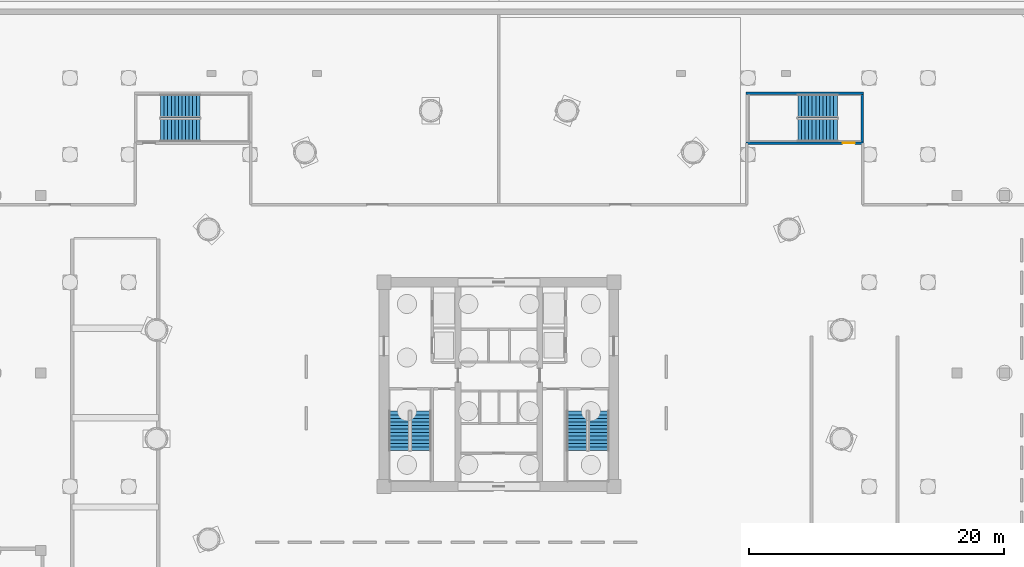
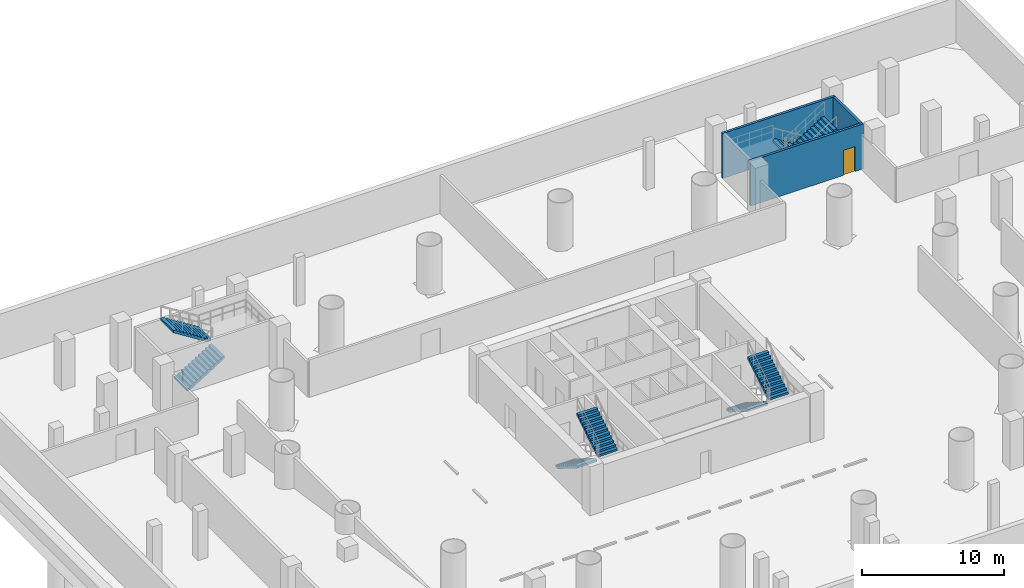
# One storey, part 6 of 11: 8 stair flights, 3 walls, 1 door, 1 opening, 4 elements without a shape of their own.
"""IFC4 building model written with IfcOpenShell, lengths in metres."""

from ifc_helpers import new_model, si_unit, direction, frame, frame_2d, origin, place, context, subcontext, project, spatial, polyline, rectangle, outline, extrude, source, transform, mapped, material, layer, layer_set, type_object, element, fill, aggregate, save


model = new_model("IFC4")

# Units and contexts
model_context = context("Model", 3, precision=1e-05, world=origin(), true_north=direction((-0.2419218956, 0.970295726276)))
body_context = subcontext(model_context, "Body", "Model", "MODEL_VIEW")
ifc_project = project(units=[si_unit("LENGTHUNIT", "METRE"), si_unit("AREAUNIT", "SQUARE_METRE"), si_unit("VOLUMEUNIT", "CUBIC_METRE"), si_unit("PLANEANGLEUNIT", "RADIAN"), si_unit("MASSUNIT", "GRAM", prefix="KILO")], contexts=[model_context])

# Site, building, storey
site_placement = place(None, origin())
site = spatial("IfcSite", under=ifc_project, at=site_placement, CompositionType="ELEMENT")
building_placement = place(site_placement, origin())
building = spatial("IfcBuilding", under=site, at=building_placement, Name="Cobrevalo Terracotta Tower", CompositionType="ELEMENT")
storey_placement = place(building_placement, frame((0.0, 0.0, -8.39990234375)))
storey = spatial("IfcBuildingStorey", under=building, at=storey_placement, Name="B02", CompositionType="ELEMENT", Elevation=-8.39990234375)

# Wall, opening, door
ifc_material_1 = material(Name="Concrete C50", Category="concrete")
ifc_layer = layer(ifc_material_1, 0.199951171875)
ifc_layer_set = layer_set([ifc_layer], Name="Concrete C50")
wall_type = type_object("IfcWallType", Name="Structural core & podium stair-shaft RC wall 200 mm Concrete C50", PredefinedType="SOLIDWALL", material=ifc_layer_set)
wall_1_placement = place(storey_placement, frame((57.35009765625, 45.699951171875, 0.0), z_axis=(0.0, 0.0, 1.0), x_axis=(1.0, 0.0, 0.0)))
wall_1 = element("IfcWall", 1, at=wall_1_placement, inside=storey, type_object=wall_type, Name="B02 STP2 south structural shaft wall", PredefinedType="SOLIDWALL", context=body_context, shape_type="SweptSolid", body=[
    extrude(rectangle(XDim=9.199951171875, YDim=0.199951171875, at=frame_2d((4.60009765625, 0.0))), origin(), (0.0, 0.0, 1.0), 3.8798828125),
])
opening_placement = place(wall_1_placement, frame((7.574951171875, 0.0, 0.0)))
opening = element("IfcOpeningElement", 2, at=opening_placement, cuts=wall_1, Name="Opening ID-04", PredefinedType="OPENING", context=body_context, shape_type="SweptSolid", body=[
    extrude(rectangle(XDim=0.949951171875, YDim=2.14990234375, at=frame_2d((0.47509765625, 1.074951171875))), frame((0.0, 0.10986328125, 0.0), z_axis=(0.0, -1.0, 0.0), x_axis=(1.0, 0.0, 0.0)), (0.0, 0.0, 1.0), 0.219970703125),
])
ifc_material_2 = material(Name="Galvanized fire-rated steel", Category="steel")
door_type = type_object("IfcDoorType", Name="Stair & firefighting lobby fire door 950x2150 EI 90", OperationType="NOTDEFINED", PredefinedType="DOOR", material=ifc_material_2)
shared_shape = source(origin(), body_context, "Body", "SweptSolid", [
    extrude(rectangle(XDim=0.949951171875, YDim=2.14990234375, at=frame_2d((0.47509765625, 1.074951171875))), frame((0.0, 0.02490234375, 0.0), z_axis=(0.0, -1.0, 0.0), x_axis=(1.0, 0.0, 0.0)), (0.0, 0.0, 1.0), 0.050048828125),
])
door_placement = place(opening_placement, frame((0.949951171875, 0.0, 0.0), z_axis=(0.0, 0.0, 1.0), x_axis=(-1.0, 0.0, 0.0)))
door = element("IfcDoor", 3, at=door_placement, inside=storey, type_object=door_type, Name="B02 podium exit stair STP2 fire door", OperationType="SINGLE_SWING_RIGHT", OverallHeight=2.14990234375, OverallWidth=0.949951171875, PredefinedType="DOOR", context=body_context, shape_type="MappedRepresentation", body=[
    mapped(shared_shape, transform((0.0, 0.0, 0.0), scale=1.0)),
])
fill(opening, door)

# Walls
wall_2_placement = place(storey_placement, frame((57.35009765625, 49.6201171875, 0.0), z_axis=(0.0, 0.0, 1.0), x_axis=(1.0, 0.0, 0.0)))
element("IfcWall", 4, at=wall_2_placement, inside=storey, type_object=wall_type, Name="B02 STP2 north structural shaft wall", PredefinedType="SOLIDWALL", context=body_context, shape_type="SweptSolid", body=[
    extrude(rectangle(XDim=9.199951171875, YDim=0.199951171875, at=frame_2d((4.60009765625, 0.0))), origin(), (0.0, 0.0, 1.0), 3.8798828125),
])
wall_3_placement = place(storey_placement, frame((66.449951171875, 45.800048828125, 0.0), z_axis=(0.0, 0.0, 1.0), x_axis=(0.0, 1.0, 0.0)))
element("IfcWall", 5, at=wall_3_placement, inside=storey, type_object=wall_type, Name="B02 STP2 east structural shaft wall", PredefinedType="SOLIDWALL", context=body_context, shape_type="SweptSolid", body=[
    extrude(rectangle(XDim=3.719970703125, YDim=0.199951171875, at=frame_2d((1.85986328125, 0.0))), origin(), (0.0, 0.0, 1.0), 3.8798828125),
])

# Stair, stair flights
stair_type_1 = type_object("IfcStairType", Name="Core protected escape dogleg stair 1600", PredefinedType="HALF_TURN_STAIR", material=ifc_material_1)
stair_1_placement = place(storey_placement, origin())
stair_1 = element("IfcStair", 6, at=stair_1_placement, inside=storey, type_object=stair_type_1, Name="B02 Protected exit stair ST-1", PredefinedType="HALF_TURN_STAIR")
stair_flight_type_1 = type_object("IfcStairFlightType", Name="Core protected escape dogleg stair 1600 flight", PredefinedType="STRAIGHT", material=ifc_material_1)
stair_flight_1_placement = place(storey_placement, frame((30.175048828125, 24.699951171875, 0.0), z_axis=(0.0, 0.0, 1.0), x_axis=(0.0, -1.0, 0.0)))
stair_flight_1 = element("IfcStairFlight", 7, at=stair_flight_1_placement, type_object=stair_flight_type_1, Name="ST-1 flight 1", NumberOfRisers=12, NumberOfTreads=11, PredefinedType="STRAIGHT", RiserHeight=0.175, TreadLength=0.28, context=body_context, shape_type="SweptSolid", body=[
    extrude(outline(polyline([(0.0, 0.0), (0.0, 0.175048828125), (0.280029296875, 0.175048828125), (0.280029296875, 0.35009765625), (0.56005859375, 0.35009765625), (0.56005859375, 0.52490234375), (0.840087890625, 0.52490234375), (0.840087890625, 0.699951171875), (1.1201171875, 0.699951171875), (1.1201171875, 0.875), (1.39990234375, 0.875), (1.39990234375, 1.050048828125), (1.679931640625, 1.050048828125), (1.679931640625, 1.22509765625), (1.9599609375, 1.22509765625), (1.9599609375, 1.39990234375), (2.239990234375, 1.39990234375), (2.239990234375, 1.574951171875), (2.52001953125, 1.574951171875), (2.52001953125, 1.75), (2.800048828125, 1.75), (2.800048828125, 1.925048828125), (3.080078125, 1.925048828125), (3.080078125, 2.10009765625), (3.080078125, 1.736328125), (0.3017578125, 0.0), (0.0, 0.0)])), frame((0.0, 0.800048828125, 0.0), z_axis=(0.0, -1.0, 0.0), x_axis=(1.0, 0.0, 0.0)), (0.0, 0.0, 1.0), 1.60009765625),
])
stair_flight_2_placement = place(storey_placement, frame((31.89501953125, 21.6201171875, 2.099853515625), z_axis=(0.0, 0.0, 1.0), x_axis=(0.0, 1.0, 0.0)))
stair_flight_2 = element("IfcStairFlight", 8, at=stair_flight_2_placement, type_object=stair_flight_type_1, Name="ST-1 flight 2", NumberOfRisers=12, NumberOfTreads=11, PredefinedType="STRAIGHT", RiserHeight=0.175, TreadLength=0.28, context=body_context, shape_type="SweptSolid", body=[
    extrude(outline(polyline([(0.0, 0.0), (0.0, 0.175048828125), (0.280029296875, 0.175048828125), (0.280029296875, 0.35009765625), (0.56005859375, 0.35009765625), (0.56005859375, 0.52490234375), (0.840087890625, 0.52490234375), (0.840087890625, 0.699951171875), (1.1201171875, 0.699951171875), (1.1201171875, 0.875), (1.39990234375, 0.875), (1.39990234375, 1.050048828125), (1.679931640625, 1.050048828125), (1.679931640625, 1.22509765625), (1.9599609375, 1.22509765625), (1.9599609375, 1.39990234375), (2.239990234375, 1.39990234375), (2.239990234375, 1.574951171875), (2.52001953125, 1.574951171875), (2.52001953125, 1.75), (2.800048828125, 1.75), (2.800048828125, 1.925048828125), (3.080078125, 1.925048828125), (3.080078125, 2.10009765625), (3.080078125, 1.736328125), (0.3017578125, 0.0), (0.0, 0.0)])), frame((0.0, 0.800048828125, 0.0), z_axis=(0.0, -1.0, 0.0), x_axis=(1.0, 0.0, 0.0)), (0.0, 0.0, 1.0), 1.60009765625),
])
aggregate(stair_1, [stair_flight_1, stair_flight_2])

stair_2_placement = place(storey_placement, origin())
stair_2 = element("IfcStair", 9, at=stair_2_placement, inside=storey, type_object=stair_type_1, Name="B02 Protected exit stair ST-2", PredefinedType="HALF_TURN_STAIR")
stair_flight_3_placement = place(storey_placement, frame((44.10498046875, 24.699951171875, 0.0), z_axis=(0.0, 0.0, 1.0), x_axis=(0.0, -1.0, 0.0)))
stair_flight_3 = element("IfcStairFlight", 10, at=stair_flight_3_placement, type_object=stair_flight_type_1, Name="ST-2 flight 1", NumberOfRisers=12, NumberOfTreads=11, PredefinedType="STRAIGHT", RiserHeight=0.175, TreadLength=0.28, context=body_context, shape_type="SweptSolid", body=[
    extrude(outline(polyline([(0.0, 0.0), (0.0, 0.175048828125), (0.280029296875, 0.175048828125), (0.280029296875, 0.35009765625), (0.56005859375, 0.35009765625), (0.56005859375, 0.52490234375), (0.840087890625, 0.52490234375), (0.840087890625, 0.699951171875), (1.1201171875, 0.699951171875), (1.1201171875, 0.875), (1.39990234375, 0.875), (1.39990234375, 1.050048828125), (1.679931640625, 1.050048828125), (1.679931640625, 1.22509765625), (1.9599609375, 1.22509765625), (1.9599609375, 1.39990234375), (2.239990234375, 1.39990234375), (2.239990234375, 1.574951171875), (2.52001953125, 1.574951171875), (2.52001953125, 1.75), (2.800048828125, 1.75), (2.800048828125, 1.925048828125), (3.080078125, 1.925048828125), (3.080078125, 2.10009765625), (3.080078125, 1.736328125), (0.3017578125, 0.0), (0.0, 0.0)])), frame((0.0, 0.800048828125, 0.0), z_axis=(0.0, -1.0, 0.0), x_axis=(1.0, 0.0, 0.0)), (0.0, 0.0, 1.0), 1.60009765625),
])
stair_flight_4_placement = place(storey_placement, frame((45.824951171875, 21.6201171875, 2.099853515625), z_axis=(0.0, 0.0, 1.0), x_axis=(0.0, 1.0, 0.0)))
stair_flight_4 = element("IfcStairFlight", 11, at=stair_flight_4_placement, type_object=stair_flight_type_1, Name="ST-2 flight 2", NumberOfRisers=12, NumberOfTreads=11, PredefinedType="STRAIGHT", RiserHeight=0.175, TreadLength=0.28, context=body_context, shape_type="SweptSolid", body=[
    extrude(outline(polyline([(0.0, 0.0), (0.0, 0.175048828125), (0.280029296875, 0.175048828125), (0.280029296875, 0.35009765625), (0.56005859375, 0.35009765625), (0.56005859375, 0.52490234375), (0.840087890625, 0.52490234375), (0.840087890625, 0.699951171875), (1.1201171875, 0.699951171875), (1.1201171875, 0.875), (1.39990234375, 0.875), (1.39990234375, 1.050048828125), (1.679931640625, 1.050048828125), (1.679931640625, 1.22509765625), (1.9599609375, 1.22509765625), (1.9599609375, 1.39990234375), (2.239990234375, 1.39990234375), (2.239990234375, 1.574951171875), (2.52001953125, 1.574951171875), (2.52001953125, 1.75), (2.800048828125, 1.75), (2.800048828125, 1.925048828125), (3.080078125, 1.925048828125), (3.080078125, 2.10009765625), (3.080078125, 1.736328125), (0.3017578125, 0.0), (0.0, 0.0)])), frame((0.0, 0.800048828125, 0.0), z_axis=(0.0, -1.0, 0.0), x_axis=(1.0, 0.0, 0.0)), (0.0, 0.0, 1.0), 1.60009765625),
])
aggregate(stair_2, [stair_flight_3, stair_flight_4])

stair_type_2 = type_object("IfcStairType", Name="Podium concourse escape dogleg stair 1800", PredefinedType="HALF_TURN_STAIR", material=ifc_material_1)
stair_3_placement = place(storey_placement, origin())
stair_3 = element("IfcStair", 12, at=stair_3_placement, inside=storey, type_object=stair_type_2, Name="B02 Protected exit stair ST-P1", PredefinedType="HALF_TURN_STAIR")
stair_flight_type_2 = type_object("IfcStairFlightType", Name="Podium concourse escape dogleg stair 1800 flight", PredefinedType="STRAIGHT", material=ifc_material_1)
stair_flight_5_placement = place(storey_placement, frame((11.5, 46.699951171875, 0.0), z_axis=(0.0, 0.0, 1.0), x_axis=(1.0, 0.0, 0.0)))
stair_flight_5 = element("IfcStairFlight", 13, at=stair_flight_5_placement, type_object=stair_flight_type_2, Name="ST-P1 flight 1", NumberOfRisers=12, NumberOfTreads=11, PredefinedType="STRAIGHT", RiserHeight=0.175, TreadLength=0.28, context=body_context, shape_type="SweptSolid", body=[
    extrude(outline(polyline([(0.0, 0.0), (0.0, 0.175048828125), (0.280029296875, 0.175048828125), (0.280029296875, 0.35009765625), (0.56005859375, 0.35009765625), (0.56005859375, 0.52490234375), (0.840087890625, 0.52490234375), (0.840087890625, 0.699951171875), (1.1201171875, 0.699951171875), (1.1201171875, 0.875), (1.39990234375, 0.875), (1.39990234375, 1.050048828125), (1.679931640625, 1.050048828125), (1.679931640625, 1.22509765625), (1.9599609375, 1.22509765625), (1.9599609375, 1.39990234375), (2.239990234375, 1.39990234375), (2.239990234375, 1.574951171875), (2.52001953125, 1.574951171875), (2.52001953125, 1.75), (2.800048828125, 1.75), (2.800048828125, 1.925048828125), (3.080078125, 1.925048828125), (3.080078125, 2.10009765625), (3.080078125, 1.736328125), (0.3017578125, 0.0), (0.0, 0.0)])), frame((0.0, 0.89990234375, 0.0), z_axis=(0.0, -1.0, 0.0), x_axis=(1.0, 0.0, 0.0)), (0.0, 0.0, 1.0), 1.800048828125),
])
stair_flight_6_placement = place(storey_placement, frame((14.580078125, 48.6201171875, 2.099853515625), z_axis=(0.0, 0.0, 1.0), x_axis=(-1.0, 0.0, 0.0)))
stair_flight_6 = element("IfcStairFlight", 14, at=stair_flight_6_placement, type_object=stair_flight_type_2, Name="ST-P1 flight 2", NumberOfRisers=12, NumberOfTreads=11, PredefinedType="STRAIGHT", RiserHeight=0.175, TreadLength=0.28, context=body_context, shape_type="SweptSolid", body=[
    extrude(outline(polyline([(0.0, 0.0), (0.0, 0.175048828125), (0.280029296875, 0.175048828125), (0.280029296875, 0.35009765625), (0.56005859375, 0.35009765625), (0.56005859375, 0.52490234375), (0.840087890625, 0.52490234375), (0.840087890625, 0.699951171875), (1.1201171875, 0.699951171875), (1.1201171875, 0.875), (1.39990234375, 0.875), (1.39990234375, 1.050048828125), (1.679931640625, 1.050048828125), (1.679931640625, 1.22509765625), (1.9599609375, 1.22509765625), (1.9599609375, 1.39990234375), (2.239990234375, 1.39990234375), (2.239990234375, 1.574951171875), (2.52001953125, 1.574951171875), (2.52001953125, 1.75), (2.800048828125, 1.75), (2.800048828125, 1.925048828125), (3.080078125, 1.925048828125), (3.080078125, 2.10009765625), (3.080078125, 1.736328125), (0.3017578125, 0.0), (0.0, 0.0)])), frame((0.0, 0.89990234375, 0.0), z_axis=(0.0, -1.0, 0.0), x_axis=(1.0, 0.0, 0.0)), (0.0, 0.0, 1.0), 1.800048828125),
])
aggregate(stair_3, [stair_flight_5, stair_flight_6])

stair_4_placement = place(storey_placement, origin())
stair_4 = element("IfcStair", 15, at=stair_4_placement, inside=storey, type_object=stair_type_2, Name="B02 Protected exit stair ST-P2", PredefinedType="HALF_TURN_STAIR")
stair_flight_7_placement = place(storey_placement, frame((64.5, 48.6201171875, 0.0), z_axis=(0.0, 0.0, 1.0), x_axis=(-1.0, 0.0, 0.0)))
stair_flight_7 = element("IfcStairFlight", 16, at=stair_flight_7_placement, type_object=stair_flight_type_2, Name="ST-P2 flight 1", NumberOfRisers=12, NumberOfTreads=11, PredefinedType="STRAIGHT", RiserHeight=0.175, TreadLength=0.28, context=body_context, shape_type="SweptSolid", body=[
    extrude(outline(polyline([(0.0, 0.0), (0.0, 0.175048828125), (0.280029296875, 0.175048828125), (0.280029296875, 0.35009765625), (0.56005859375, 0.35009765625), (0.56005859375, 0.52490234375), (0.840087890625, 0.52490234375), (0.840087890625, 0.699951171875), (1.1201171875, 0.699951171875), (1.1201171875, 0.875), (1.39990234375, 0.875), (1.39990234375, 1.050048828125), (1.679931640625, 1.050048828125), (1.679931640625, 1.22509765625), (1.9599609375, 1.22509765625), (1.9599609375, 1.39990234375), (2.239990234375, 1.39990234375), (2.239990234375, 1.574951171875), (2.52001953125, 1.574951171875), (2.52001953125, 1.75), (2.800048828125, 1.75), (2.800048828125, 1.925048828125), (3.080078125, 1.925048828125), (3.080078125, 2.10009765625), (3.080078125, 1.736328125), (0.3017578125, 0.0), (0.0, 0.0)])), frame((0.0, 0.89990234375, 0.0), z_axis=(0.0, -1.0, 0.0), x_axis=(1.0, 0.0, 0.0)), (0.0, 0.0, 1.0), 1.800048828125),
])
stair_flight_8_placement = place(storey_placement, frame((61.419921875, 46.699951171875, 2.099853515625), z_axis=(0.0, 0.0, 1.0), x_axis=(1.0, 0.0, 0.0)))
stair_flight_8 = element("IfcStairFlight", 17, at=stair_flight_8_placement, type_object=stair_flight_type_2, Name="ST-P2 flight 2", NumberOfRisers=12, NumberOfTreads=11, PredefinedType="STRAIGHT", RiserHeight=0.175, TreadLength=0.28, context=body_context, shape_type="SweptSolid", body=[
    extrude(outline(polyline([(0.0, 0.0), (0.0, 0.175048828125), (0.280029296875, 0.175048828125), (0.280029296875, 0.35009765625), (0.56005859375, 0.35009765625), (0.56005859375, 0.52490234375), (0.840087890625, 0.52490234375), (0.840087890625, 0.699951171875), (1.1201171875, 0.699951171875), (1.1201171875, 0.875), (1.39990234375, 0.875), (1.39990234375, 1.050048828125), (1.679931640625, 1.050048828125), (1.679931640625, 1.22509765625), (1.9599609375, 1.22509765625), (1.9599609375, 1.39990234375), (2.239990234375, 1.39990234375), (2.239990234375, 1.574951171875), (2.52001953125, 1.574951171875), (2.52001953125, 1.75), (2.800048828125, 1.75), (2.800048828125, 1.925048828125), (3.080078125, 1.925048828125), (3.080078125, 2.10009765625), (3.080078125, 1.736328125), (0.3017578125, 0.0), (0.0, 0.0)])), frame((0.0, 0.89990234375, 0.0), z_axis=(0.0, -1.0, 0.0), x_axis=(1.0, 0.0, 0.0)), (0.0, 0.0, 1.0), 1.800048828125),
])
aggregate(stair_4, [stair_flight_7, stair_flight_8])

save(model, "model.ifc")
